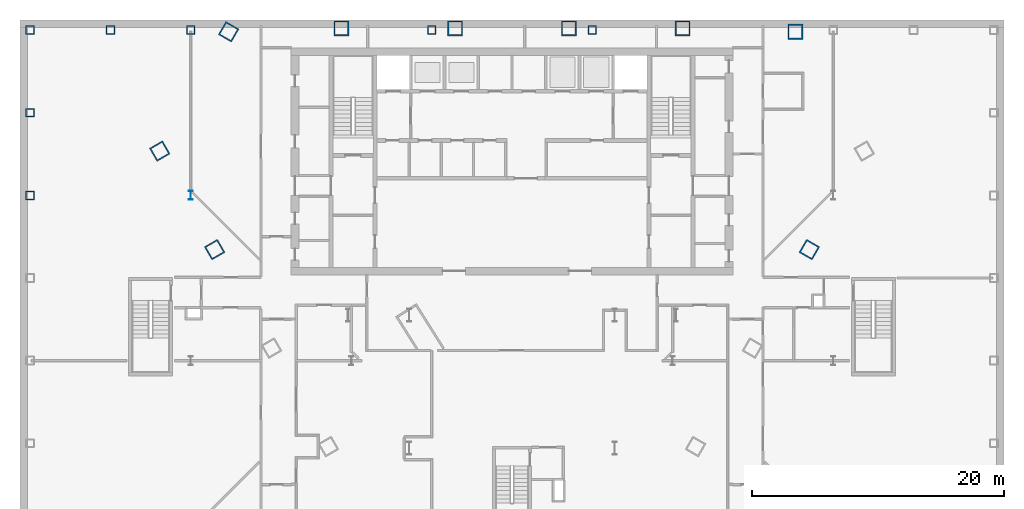
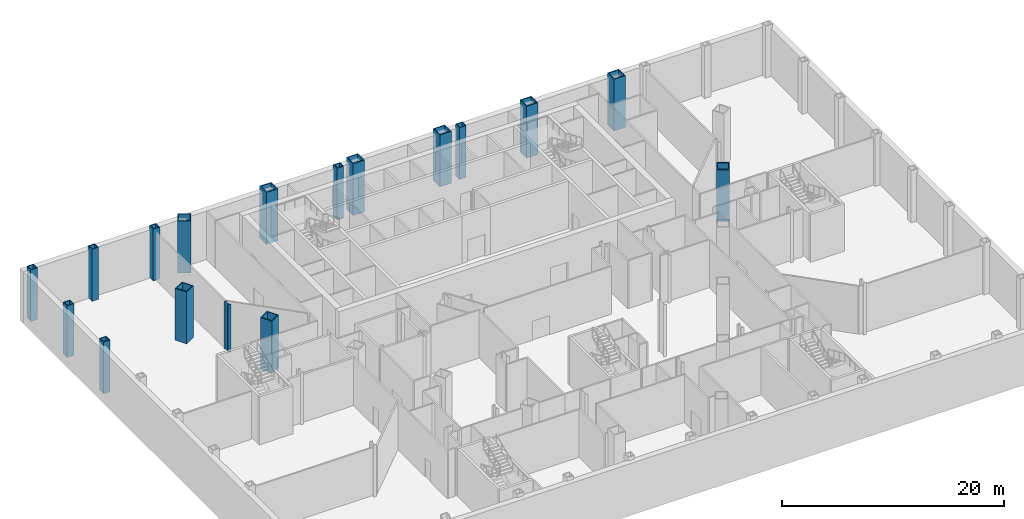
# One storey, part 2 of 18: 17 columns.
"""IFC4 building model written with IfcOpenShell, lengths in metres."""

from ifc_helpers import new_model, si_unit, direction, frame, origin, origin_2d, place, context, subcontext, project, spatial, hollow_rectangle, i_section, extrude, material, material_profile, profile_set, type_object, element, save


model = new_model("IFC4")

# Units and contexts
model_context = context("Model", 3, precision=1e-05, world=origin(), true_north=direction((0.0, 1.0)))
body_context = subcontext(model_context, "Body", "Model", "MODEL_VIEW")
ifc_project = project(units=[si_unit("LENGTHUNIT", "METRE"), si_unit("AREAUNIT", "SQUARE_METRE"), si_unit("VOLUMEUNIT", "CUBIC_METRE"), si_unit("PLANEANGLEUNIT", "RADIAN"), si_unit("MASSUNIT", "GRAM", prefix="KILO")], contexts=[model_context])

# Site, building, storey
site_placement = place(None, origin())
site = spatial("IfcSite", under=ifc_project, at=site_placement, CompositionType="ELEMENT")
building_placement = place(site_placement, origin())
building = spatial("IfcBuilding", under=site, at=building_placement, Name="Njiva Tower", CompositionType="ELEMENT")
storey_placement = place(building_placement, frame((0.0, 0.0, -5.7)))
storey = spatial("IfcBuildingStorey", under=building, at=storey_placement, Name="B1", CompositionType="ELEMENT", Elevation=-5.7)

# Columns
ifc_material = material(Name="Steel S355 J2", Category="steel")
ifc_material_profile_1 = material_profile(ifc_material, hollow_rectangle(XDim=1.2, YDim=1.2, WallThickness=0.1, at=origin_2d()), Name="BOX 1200x1200x100")
ifc_profile_set_1 = profile_set([ifc_material_profile_1], Name="Steel S355 J2")
column_type_1 = type_object("IfcColumnType", Name="C1 Mega-column BOX 1200x1200x100", PredefinedType="COLUMN", material=ifc_profile_set_1)
for number, where, z_axis, x_axis, name in (
    (1, (22.461, 19.267, 0.0), (0.0, 0.0, 1.0), (-1.0, 0.0, 0.0), "Mega-column B1-C01"),
    (2, (13.523, 19.54, 0.0), (0.0, 0.0, 1.0), (-1.0, 0.0, 0.0), "Mega-column B1-C02"),
    (3, (4.508, 19.54, 0.0), (0.0, 0.0, 1.0), (-1.0, 0.0, 0.0), "Mega-column B1-C03"),
    (4, (-4.508, 19.54, 0.0), (0.0, 0.0, 1.0), (-1.0, 0.0, 0.0), "Mega-column B1-C04"),
    (5, (-13.523, 19.54, 0.0), (0.0, 0.0, 1.0), (-1.0, 0.0, 0.0), "Mega-column B1-C05"),
    (6, (-22.461, 19.267, 0.0), (0.0, 0.0, 1.0), (-0.5, -0.866025403784, 0.0), "Mega-column B1-C06"),
    (7, (-27.923, 9.808, 0.0), (0.0, 0.0, 1.0), (0.5, -0.866025403784, 0.0), "Mega-column B1-C07"),
    (8, (-23.569, 2.0, 0.0), (0.0, 0.0, 1.0), (0.5, -0.866025403784, 0.0), "Mega-column B1-C08"),
    (9, (23.569, 2.0, 0.0), (0.0, 0.0, 1.0), (0.5, 0.866025403784, 0.0), "Mega-column B1-C17"),
):
    element("IfcColumn", number, at=place(storey_placement, frame(where, z_axis=z_axis, x_axis=x_axis)), inside=storey, type_object=column_type_1, Name=name, PredefinedType="COLUMN", context=body_context, shape_type="SweptSolid", body=[
        extrude(hollow_rectangle(XDim=1.2, YDim=1.2, WallThickness=0.1, at=origin_2d()), origin(), (0.0, 0.0, 1.0), 5.7),
    ])
ifc_material_profile_2 = material_profile(ifc_material, hollow_rectangle(XDim=0.7, YDim=0.7, WallThickness=0.08, at=origin_2d()), Name="BOX 700x700x80")
ifc_profile_set_2 = profile_set([ifc_material_profile_2], Name="Steel S355 J2")
column_type_2 = type_object("IfcColumnType", Name="C3 Podium perimeter column BOX 700x700x80", PredefinedType="COLUMN", material=ifc_profile_set_2)
for number, where, z_axis, x_axis, name in (
    (10, (6.367, 19.4, 0.0), (0.0, 0.0, 1.0), (-1.0, 0.0, 0.0), "Podium perimeter column B1-C38"),
    (11, (-6.367, 19.4, 0.0), (0.0, 0.0, 1.0), (-1.0, 0.0, 0.0), "Podium perimeter column B1-C39"),
    (12, (-25.467, 19.4, 0.0), (0.0, 0.0, 1.0), (-1.0, 0.0, 0.0), "Podium perimeter column B1-C40"),
    (13, (-31.833, 19.4, 0.0), (0.0, 0.0, 1.0), (-1.0, 0.0, 0.0), "Podium perimeter column B1-C41"),
    (14, (-38.2, 19.4, 0.0), (0.0, 0.0, 1.0), (0.0, -1.0, 0.0), "Podium perimeter column B1-C42"),
    (15, (-38.2, 12.85, 0.0), (0.0, 0.0, 1.0), (0.0, -1.0, 0.0), "Podium perimeter column B1-C43"),
    (16, (-38.2, 6.3, 0.0), (0.0, 0.0, 1.0), (0.0, -1.0, 0.0), "Podium perimeter column B1-C44"),
):
    element("IfcColumn", number, at=place(storey_placement, frame(where, z_axis=z_axis, x_axis=x_axis)), inside=storey, type_object=column_type_2, Name=name, PredefinedType="COLUMN", context=body_context, shape_type="SweptSolid", body=[
        extrude(hollow_rectangle(XDim=0.7, YDim=0.7, WallThickness=0.08, at=origin_2d()), origin(), (0.0, 0.0, 1.0), 5.7),
    ])
ifc_material_profile_3 = material_profile(ifc_material, i_section(OverallWidth=0.304, OverallDepth=0.716, WebThickness=0.021, FlangeThickness=0.04, at=origin_2d()), Name="HEM 700")
ifc_profile_set_3 = profile_set([ifc_material_profile_3], Name="Steel S355 J2")
column_type_3 = type_object("IfcColumnType", Name="C4 Station column HEM 700", PredefinedType="COLUMN", material=ifc_profile_set_3)
column_placement = place(storey_placement, frame((-25.467, 6.3, 0.0), z_axis=(0.0, 0.0, 1.0), x_axis=(1.0, 0.0, 0.0)))
element("IfcColumn", 17, at=column_placement, inside=storey, type_object=column_type_3, Name="Station column B1-C62", PredefinedType="COLUMN", context=body_context, shape_type="SweptSolid", body=[
    extrude(i_section(OverallWidth=0.304, OverallDepth=0.716, WebThickness=0.021, FlangeThickness=0.04, at=origin_2d()), origin(), (0.0, 0.0, 1.0), 5.25),
])

save(model, "model.ifc")
